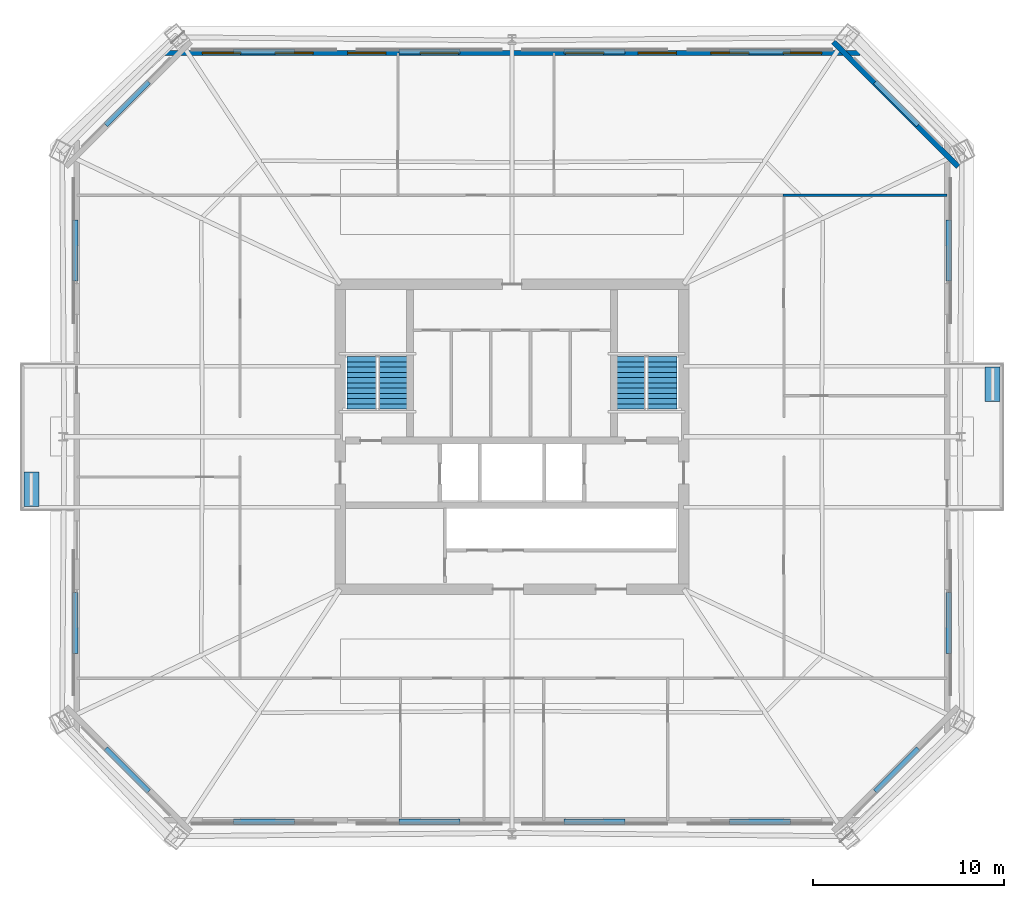
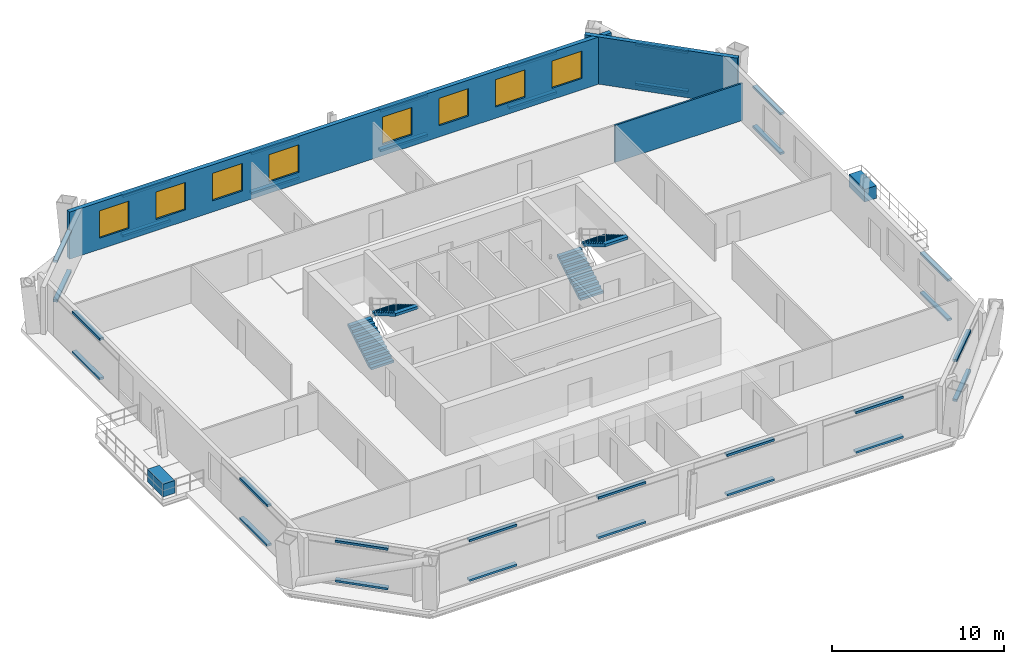
# One storey, part 5 of 8: 34 discrete accessories, 8 windows, 4 stair flights, 3 walls, 8 openings, 2 elements without a shape of their own.
"""IFC4 building model written with IfcOpenShell, lengths in metres."""

from ifc_helpers import new_model, si_unit, direction, frame, frame_2d, origin, origin_2d, place, context, subcontext, project, spatial, polyline, rectangle, outline, extrude, material, layer, layer_set, type_object, element, fill, aggregate, save


model = new_model("IFC4")

# Units and contexts
model_context = context("Model", 3, precision=1e-05, world=origin(), true_north=direction((0.0, 1.0)))
body_context = subcontext(model_context, "Body", "Model", "MODEL_VIEW")
ifc_project = project(units=[si_unit("LENGTHUNIT", "METRE"), si_unit("AREAUNIT", "SQUARE_METRE"), si_unit("VOLUMEUNIT", "CUBIC_METRE"), si_unit("PLANEANGLEUNIT", "RADIAN"), si_unit("MASSUNIT", "GRAM", prefix="KILO")], contexts=[model_context])

# Site, building, storey
site_placement = place(None, origin())
site = spatial("IfcSite", under=ifc_project, at=site_placement, CompositionType="ELEMENT")
building_placement = place(site_placement, origin())
building = spatial("IfcBuilding", under=site, at=building_placement, Name="Caelvoria Tower", CompositionType="ELEMENT")
storey_placement = place(building_placement, frame((0.0, 0.0, 145.60009765625)))
storey = spatial("IfcBuildingStorey", under=building, at=storey_placement, Name="L38", CompositionType="ELEMENT", Elevation=145.60009765625)

# Wall
ifc_material_1 = material(Name="Precast Concrete C40/50 with Bronze Cladding", Category="concrete")
ifc_layer_1 = layer(ifc_material_1, 0.280029296875, Name="Precast Concrete C40/50 with Bronze Cladding")
ifc_layer_set_1 = layer_set([ifc_layer_1], Name="Exterior Precast Concrete C40/50 Bronze-Clad Facade Wall 280 - Precast Concrete C40/50 with Bronze Cladding")
wall_type_1 = type_object("IfcWallType", Name="Exterior Precast Concrete C40/50 Bronze-Clad Facade Wall 280", PredefinedType="STANDARD", material=ifc_layer_set_1)
wall_1_placement = place(storey_placement, frame((69.393798828125, 46.154541015625, 0.0), z_axis=(0.0, 0.0, 1.0), x_axis=(-0.707106781187, 0.707106781187, 0.0)))
element("IfcWall", 1, at=wall_1_placement, inside=storey, type_object=wall_type_1, Name="Exterior Facade Wall L38-E3", PredefinedType="STANDARD", context=body_context, shape_type="SweptSolid", body=[
    extrude(rectangle(XDim=9.248046875, YDim=0.280029296875, at=frame_2d((4.6240234375, 0.0))), origin(), (0.0, 0.0, 1.0), 3.35986328125),
])

# Wall, openings, windows
wall_2_placement = place(storey_placement, frame((64.239990234375, 52.1201171875, 0.0), z_axis=(0.0, 0.0, 1.0), x_axis=(-1.0, 0.0, 0.0)))
wall_2 = element("IfcWall", 2, at=wall_2_placement, inside=storey, type_object=wall_type_1, Name="Exterior Facade Wall L38-E4", PredefinedType="STANDARD", context=body_context, shape_type="SweptSolid", body=[
    extrude(rectangle(XDim=36.47998046875, YDim=0.280029296875, at=frame_2d((18.239990234375, 0.0))), origin(), (0.0, 0.0, 1.0), 3.35986328125),
])
opening_1_placement = place(wall_2_placement, frame((2.00439453125, 0.0, 0.800048828125)))
opening_1 = element("IfcOpeningElement", 3, at=opening_1_placement, cuts=wall_2, Name="Opening WN-01", PredefinedType="OPENING", context=body_context, shape_type="SweptSolid", body=[
    extrude(rectangle(XDim=2.0, YDim=1.949951171875, at=frame_2d((1.0, 0.97509765625))), frame((0.0, 0.14990234375, 0.0), z_axis=(0.0, -1.0, 0.0), x_axis=(1.0, 0.0, 0.0)), (0.0, 0.0, 1.0), 0.300048828125),
])
opening_2_placement = place(wall_2_placement, frame((5.813232421875, 0.0, 0.800048828125)))
opening_2 = element("IfcOpeningElement", 4, at=opening_2_placement, cuts=wall_2, Name="Opening WN-01", PredefinedType="OPENING", context=body_context, shape_type="SweptSolid", body=[
    extrude(rectangle(XDim=2.0, YDim=1.949951171875, at=frame_2d((1.0, 0.97509765625))), frame((0.0, 0.14990234375, 0.0), z_axis=(0.0, -1.0, 0.0), x_axis=(1.0, 0.0, 0.0)), (0.0, 0.0, 1.0), 0.300048828125),
])
opening_3_placement = place(wall_2_placement, frame((9.622314453125, 0.0, 0.800048828125)))
opening_3 = element("IfcOpeningElement", 5, at=opening_3_placement, cuts=wall_2, Name="Opening WN-01", PredefinedType="OPENING", context=body_context, shape_type="SweptSolid", body=[
    extrude(rectangle(XDim=2.0, YDim=1.949951171875, at=frame_2d((1.0, 0.97509765625))), frame((0.0, 0.14990234375, 0.0), z_axis=(0.0, -1.0, 0.0), x_axis=(1.0, 0.0, 0.0)), (0.0, 0.0, 1.0), 0.300048828125),
])
opening_4_placement = place(wall_2_placement, frame((13.43115234375, 0.0, 0.800048828125)))
opening_4 = element("IfcOpeningElement", 6, at=opening_4_placement, cuts=wall_2, Name="Opening WN-01", PredefinedType="OPENING", context=body_context, shape_type="SweptSolid", body=[
    extrude(rectangle(XDim=2.0, YDim=1.949951171875, at=frame_2d((1.0, 0.97509765625))), frame((0.0, 0.14990234375, 0.0), z_axis=(0.0, -1.0, 0.0), x_axis=(1.0, 0.0, 0.0)), (0.0, 0.0, 1.0), 0.300048828125),
])
opening_5_placement = place(wall_2_placement, frame((21.048828125, 0.0, 0.800048828125)))
opening_5 = element("IfcOpeningElement", 7, at=opening_5_placement, cuts=wall_2, Name="Opening WN-01", PredefinedType="OPENING", context=body_context, shape_type="SweptSolid", body=[
    extrude(rectangle(XDim=2.0, YDim=1.949951171875, at=frame_2d((1.0, 0.97509765625))), frame((0.0, 0.14990234375, 0.0), z_axis=(0.0, -1.0, 0.0), x_axis=(1.0, 0.0, 0.0)), (0.0, 0.0, 1.0), 0.300048828125),
])
opening_6_placement = place(wall_2_placement, frame((24.85791015625, 0.0, 0.800048828125)))
opening_6 = element("IfcOpeningElement", 8, at=opening_6_placement, cuts=wall_2, Name="Opening WN-01", PredefinedType="OPENING", context=body_context, shape_type="SweptSolid", body=[
    extrude(rectangle(XDim=2.0, YDim=1.949951171875, at=frame_2d((1.0, 0.97509765625))), frame((0.0, 0.14990234375, 0.0), z_axis=(0.0, -1.0, 0.0), x_axis=(1.0, 0.0, 0.0)), (0.0, 0.0, 1.0), 0.300048828125),
])
opening_7_placement = place(wall_2_placement, frame((28.666748046875, 0.0, 0.800048828125)))
opening_7 = element("IfcOpeningElement", 9, at=opening_7_placement, cuts=wall_2, Name="Opening WN-01", PredefinedType="OPENING", context=body_context, shape_type="SweptSolid", body=[
    extrude(rectangle(XDim=2.0, YDim=1.949951171875, at=frame_2d((1.0, 0.97509765625))), frame((0.0, 0.14990234375, 0.0), z_axis=(0.0, -1.0, 0.0), x_axis=(1.0, 0.0, 0.0)), (0.0, 0.0, 1.0), 0.300048828125),
])
opening_8_placement = place(wall_2_placement, frame((32.4755859375, 0.0, 0.800048828125)))
opening_8 = element("IfcOpeningElement", 10, at=opening_8_placement, cuts=wall_2, Name="Opening WN-01", PredefinedType="OPENING", context=body_context, shape_type="SweptSolid", body=[
    extrude(rectangle(XDim=2.0, YDim=1.949951171875, at=frame_2d((1.0, 0.97509765625))), frame((0.0, 0.14990234375, 0.0), z_axis=(0.0, -1.0, 0.0), x_axis=(1.0, 0.0, 0.0)), (0.0, 0.0, 1.0), 0.300048828125),
])
ifc_material_2 = material(Name="Low-E Tinted Glass in Bronze Aluminium Frame", Category="aluminium")
window_type = type_object("IfcWindowType", Name="Tower Office Vision Window 2000x1950", PartitioningType="SINGLE_PANEL", PredefinedType="WINDOW", material=ifc_material_2)
window_1_placement = place(opening_1_placement, origin())
window_1 = element("IfcWindow", 11, at=window_1_placement, inside=storey, type_object=window_type, Name="Facade Window L38-E4-00", OverallHeight=1.949951171875, OverallWidth=2.0, PartitioningType="SINGLE_PANEL", PredefinedType="WINDOW", context=body_context, shape_type="SweptSolid", body=[
    extrude(rectangle(XDim=2.0, YDim=1.949951171875, at=frame_2d((1.0, 0.97509765625))), frame((0.0, 0.030029296875, 0.0), z_axis=(0.0, -1.0, 0.0), x_axis=(1.0, 0.0, 0.0)), (0.0, 0.0, 1.0), 0.06005859375),
])
fill(opening_1, window_1)
window_2_placement = place(opening_2_placement, origin())
window_2 = element("IfcWindow", 12, at=window_2_placement, inside=storey, type_object=window_type, Name="Facade Window L38-E4-01", OverallHeight=1.949951171875, OverallWidth=2.0, PartitioningType="SINGLE_PANEL", PredefinedType="WINDOW", context=body_context, shape_type="SweptSolid", body=[
    extrude(rectangle(XDim=2.0, YDim=1.949951171875, at=frame_2d((1.0, 0.97509765625))), frame((0.0, 0.030029296875, 0.0), z_axis=(0.0, -1.0, 0.0), x_axis=(1.0, 0.0, 0.0)), (0.0, 0.0, 1.0), 0.06005859375),
])
fill(opening_2, window_2)
window_3_placement = place(opening_3_placement, origin())
window_3 = element("IfcWindow", 13, at=window_3_placement, inside=storey, type_object=window_type, Name="Facade Window L38-E4-02", OverallHeight=1.949951171875, OverallWidth=2.0, PartitioningType="SINGLE_PANEL", PredefinedType="WINDOW", context=body_context, shape_type="SweptSolid", body=[
    extrude(rectangle(XDim=2.0, YDim=1.949951171875, at=frame_2d((1.0, 0.97509765625))), frame((0.0, 0.030029296875, 0.0), z_axis=(0.0, -1.0, 0.0), x_axis=(1.0, 0.0, 0.0)), (0.0, 0.0, 1.0), 0.06005859375),
])
fill(opening_3, window_3)
window_4_placement = place(opening_4_placement, origin())
window_4 = element("IfcWindow", 14, at=window_4_placement, inside=storey, type_object=window_type, Name="Facade Window L38-E4-03", OverallHeight=1.949951171875, OverallWidth=2.0, PartitioningType="SINGLE_PANEL", PredefinedType="WINDOW", context=body_context, shape_type="SweptSolid", body=[
    extrude(rectangle(XDim=2.0, YDim=1.949951171875, at=frame_2d((1.0, 0.97509765625))), frame((0.0, 0.030029296875, 0.0), z_axis=(0.0, -1.0, 0.0), x_axis=(1.0, 0.0, 0.0)), (0.0, 0.0, 1.0), 0.06005859375),
])
fill(opening_4, window_4)
window_5_placement = place(opening_5_placement, origin())
window_5 = element("IfcWindow", 15, at=window_5_placement, inside=storey, type_object=window_type, Name="Facade Window L38-E4-05", OverallHeight=1.949951171875, OverallWidth=2.0, PartitioningType="SINGLE_PANEL", PredefinedType="WINDOW", context=body_context, shape_type="SweptSolid", body=[
    extrude(rectangle(XDim=2.0, YDim=1.949951171875, at=frame_2d((1.0, 0.97509765625))), frame((0.0, 0.030029296875, 0.0), z_axis=(0.0, -1.0, 0.0), x_axis=(1.0, 0.0, 0.0)), (0.0, 0.0, 1.0), 0.06005859375),
])
fill(opening_5, window_5)
window_6_placement = place(opening_6_placement, origin())
window_6 = element("IfcWindow", 16, at=window_6_placement, inside=storey, type_object=window_type, Name="Facade Window L38-E4-06", OverallHeight=1.949951171875, OverallWidth=2.0, PartitioningType="SINGLE_PANEL", PredefinedType="WINDOW", context=body_context, shape_type="SweptSolid", body=[
    extrude(rectangle(XDim=2.0, YDim=1.949951171875, at=frame_2d((1.0, 0.97509765625))), frame((0.0, 0.030029296875, 0.0), z_axis=(0.0, -1.0, 0.0), x_axis=(1.0, 0.0, 0.0)), (0.0, 0.0, 1.0), 0.06005859375),
])
fill(opening_6, window_6)
window_7_placement = place(opening_7_placement, origin())
window_7 = element("IfcWindow", 17, at=window_7_placement, inside=storey, type_object=window_type, Name="Facade Window L38-E4-07", OverallHeight=1.949951171875, OverallWidth=2.0, PartitioningType="SINGLE_PANEL", PredefinedType="WINDOW", context=body_context, shape_type="SweptSolid", body=[
    extrude(rectangle(XDim=2.0, YDim=1.949951171875, at=frame_2d((1.0, 0.97509765625))), frame((0.0, 0.030029296875, 0.0), z_axis=(0.0, -1.0, 0.0), x_axis=(1.0, 0.0, 0.0)), (0.0, 0.0, 1.0), 0.06005859375),
])
fill(opening_7, window_7)
window_8_placement = place(opening_8_placement, origin())
window_8 = element("IfcWindow", 18, at=window_8_placement, inside=storey, type_object=window_type, Name="Facade Window L38-E4-08", OverallHeight=1.949951171875, OverallWidth=2.0, PartitioningType="SINGLE_PANEL", PredefinedType="WINDOW", context=body_context, shape_type="SweptSolid", body=[
    extrude(rectangle(XDim=2.0, YDim=1.949951171875, at=frame_2d((1.0, 0.97509765625))), frame((0.0, 0.030029296875, 0.0), z_axis=(0.0, -1.0, 0.0), x_axis=(1.0, 0.0, 0.0)), (0.0, 0.0, 1.0), 0.06005859375),
])
fill(opening_8, window_8)

# Wall
ifc_material_3 = material(Name="Acoustic Gypsum Board on Light-Gauge Stud", Category="gypsum")
ifc_layer_2 = layer(ifc_material_3, 0.1201171875, Name="Acoustic Gypsum Board on Light-Gauge Stud")
ifc_layer_set_2 = layer_set([ifc_layer_2], Name="Tenant Suite Acoustic Partition Wall 120 - Acoustic Gypsum Board on Light-Gauge Stud")
wall_type_2 = type_object("IfcWallType", Name="Tenant Suite Acoustic Partition Wall 120", PredefinedType="PARTITIONING", material=ifc_layer_set_2)
wall_3_placement = place(storey_placement, frame((60.199951171875, 44.659912109375, 0.0), z_axis=(0.0, 0.0, 1.0), x_axis=(1.0, 0.0, 0.0)))
element("IfcWall", 19, at=wall_3_placement, inside=storey, type_object=wall_type_2, Name="Interior Partition IW-L38-BNE-0", PredefinedType="PARTITIONING", context=body_context, shape_type="SweptSolid", body=[
    extrude(rectangle(XDim=8.6201171875, YDim=0.1201171875, at=frame_2d((4.31005859375, 0.0))), origin(), (0.0, 0.0, 1.0), 2.639892578125),
])

# Stair, stair flights
ifc_material_4 = material(Name="Concrete C40/50", Category="concrete")
stair_type = type_object("IfcStairType", Name="Core Smokeproof Dogleg Stair Concrete C40/50", PredefinedType="HALF_TURN_STAIR", material=ifc_material_4)
stair_1_placement = place(storey_placement, origin())
stair_1 = element("IfcStair", 20, at=stair_1_placement, inside=storey, type_object=stair_type, Name="ST-01 Smokeproof Exit Stair L38", PredefinedType="HALF_TURN_STAIR")
ifc_material_5 = material(Name="Precast Concrete C40/50", Category="concrete")
stair_flight_type = type_object("IfcStairFlightType", Name="Precast Concrete C40/50 Stair Flight 1480", PredefinedType="STRAIGHT", material=ifc_material_5)
stair_flight_1_placement = place(storey_placement, frame((38.1298828125, 33.449951171875, 0.0), z_axis=(0.0, 0.0, 1.0), x_axis=(0.0, 1.0, 0.0)))
stair_flight_1 = element("IfcStairFlight", 21, at=stair_flight_1_placement, type_object=stair_flight_type, Name="ST-01 flight 1", NumberOfRisers=11, NumberOfTreads=10, PredefinedType="STRAIGHT", RiserHeight=0.1636, TreadLength=0.275, context=body_context, shape_type="SweptSolid", body=[
    extrude(outline(polyline([(0.0, 0.0), (0.0, 0.16357421875), (0.27490234375, 0.16357421875), (0.27490234375, 0.3271484375), (0.550048828125, 0.3271484375), (0.550048828125, 0.49072265625), (0.824951171875, 0.49072265625), (0.824951171875, 0.654296875), (1.10009765625, 0.654296875), (1.10009765625, 0.818115234375), (1.375, 0.818115234375), (1.375, 0.981689453125), (1.64990234375, 0.981689453125), (1.64990234375, 1.145263671875), (1.925048828125, 1.145263671875), (1.925048828125, 1.308837890625), (2.199951171875, 1.308837890625), (2.199951171875, 1.472412109375), (2.47509765625, 1.472412109375), (2.47509765625, 1.635986328125), (2.75, 1.635986328125), (2.75, 1.799560546875), (2.75, 1.449951171875), (0.312744140625, 0.0), (0.0, 0.0)])), frame((0.0, 0.77001953125, 0.0), z_axis=(0.0, -1.0, 0.0), x_axis=(1.0, 0.0, 0.0)), (0.0, 0.0, 1.0), 1.5400390625),
])
stair_flight_2_placement = place(storey_placement, frame((39.77001953125, 36.199951171875, 1.7998046875), z_axis=(0.0, 0.0, 1.0), x_axis=(0.0, -1.0, 0.0)))
stair_flight_2 = element("IfcStairFlight", 22, at=stair_flight_2_placement, type_object=stair_flight_type, Name="ST-01 flight 2", NumberOfRisers=11, NumberOfTreads=10, PredefinedType="STRAIGHT", RiserHeight=0.1636, TreadLength=0.275, context=body_context, shape_type="SweptSolid", body=[
    extrude(outline(polyline([(0.0, 0.0), (0.0, 0.16357421875), (0.27490234375, 0.16357421875), (0.27490234375, 0.3271484375), (0.550048828125, 0.3271484375), (0.550048828125, 0.49072265625), (0.824951171875, 0.49072265625), (0.824951171875, 0.654296875), (1.10009765625, 0.654296875), (1.10009765625, 0.818115234375), (1.375, 0.818115234375), (1.375, 0.981689453125), (1.64990234375, 0.981689453125), (1.64990234375, 1.145263671875), (1.925048828125, 1.145263671875), (1.925048828125, 1.308837890625), (2.199951171875, 1.308837890625), (2.199951171875, 1.472412109375), (2.47509765625, 1.472412109375), (2.47509765625, 1.635986328125), (2.75, 1.635986328125), (2.75, 1.799560546875), (2.75, 1.449951171875), (0.312744140625, 0.0), (0.0, 0.0)])), frame((0.0, 0.77001953125, 0.0), z_axis=(0.0, -1.0, 0.0), x_axis=(1.0, 0.0, 0.0)), (0.0, 0.0, 1.0), 1.5400390625),
])
aggregate(stair_1, [stair_flight_1, stair_flight_2])

stair_2_placement = place(storey_placement, origin())
stair_2 = element("IfcStair", 23, at=stair_2_placement, inside=storey, type_object=stair_type, Name="ST-02 Smokeproof Exit Stair L38", PredefinedType="HALF_TURN_STAIR")
stair_flight_3_placement = place(storey_placement, frame((52.22998046875, 33.449951171875, 0.0), z_axis=(0.0, 0.0, 1.0), x_axis=(0.0, 1.0, 0.0)))
stair_flight_3 = element("IfcStairFlight", 24, at=stair_flight_3_placement, type_object=stair_flight_type, Name="ST-02 flight 1", NumberOfRisers=11, NumberOfTreads=10, PredefinedType="STRAIGHT", RiserHeight=0.1636, TreadLength=0.275, context=body_context, shape_type="SweptSolid", body=[
    extrude(outline(polyline([(0.0, 0.0), (0.0, 0.16357421875), (0.27490234375, 0.16357421875), (0.27490234375, 0.3271484375), (0.550048828125, 0.3271484375), (0.550048828125, 0.49072265625), (0.824951171875, 0.49072265625), (0.824951171875, 0.654296875), (1.10009765625, 0.654296875), (1.10009765625, 0.818115234375), (1.375, 0.818115234375), (1.375, 0.981689453125), (1.64990234375, 0.981689453125), (1.64990234375, 1.145263671875), (1.925048828125, 1.145263671875), (1.925048828125, 1.308837890625), (2.199951171875, 1.308837890625), (2.199951171875, 1.472412109375), (2.47509765625, 1.472412109375), (2.47509765625, 1.635986328125), (2.75, 1.635986328125), (2.75, 1.799560546875), (2.75, 1.449951171875), (0.312744140625, 0.0), (0.0, 0.0)])), frame((0.0, 0.77001953125, 0.0), z_axis=(0.0, -1.0, 0.0), x_axis=(1.0, 0.0, 0.0)), (0.0, 0.0, 1.0), 1.5400390625),
])
stair_flight_4_placement = place(storey_placement, frame((53.8701171875, 36.199951171875, 1.7998046875), z_axis=(0.0, 0.0, 1.0), x_axis=(0.0, -1.0, 0.0)))
stair_flight_4 = element("IfcStairFlight", 25, at=stair_flight_4_placement, type_object=stair_flight_type, Name="ST-02 flight 2", NumberOfRisers=11, NumberOfTreads=10, PredefinedType="STRAIGHT", RiserHeight=0.1636, TreadLength=0.275, context=body_context, shape_type="SweptSolid", body=[
    extrude(outline(polyline([(0.0, 0.0), (0.0, 0.16357421875), (0.27490234375, 0.16357421875), (0.27490234375, 0.3271484375), (0.550048828125, 0.3271484375), (0.550048828125, 0.49072265625), (0.824951171875, 0.49072265625), (0.824951171875, 0.654296875), (1.10009765625, 0.654296875), (1.10009765625, 0.818115234375), (1.375, 0.818115234375), (1.375, 0.981689453125), (1.64990234375, 0.981689453125), (1.64990234375, 1.145263671875), (1.925048828125, 1.145263671875), (1.925048828125, 1.308837890625), (2.199951171875, 1.308837890625), (2.199951171875, 1.472412109375), (2.47509765625, 1.472412109375), (2.47509765625, 1.635986328125), (2.75, 1.635986328125), (2.75, 1.799560546875), (2.75, 1.449951171875), (0.312744140625, 0.0), (0.0, 0.0)])), frame((0.0, 0.77001953125, 0.0), z_axis=(0.0, -1.0, 0.0), x_axis=(1.0, 0.0, 0.0)), (0.0, 0.0, 1.0), 1.5400390625),
])
aggregate(stair_2, [stair_flight_3, stair_flight_4])

# Discrete accessories
ifc_material_6 = material(Name="Anodised Bronze Stainless Bracket", Category="bronze")
discrete_accessory_type_1 = type_object("IfcDiscreteAccessoryType", Name="Solar Screen Outrigger Support Bracket", PredefinedType="BRACKET", material=ifc_material_6)
for number, where, z_axis, x_axis, name in (
    (26, (32.9951171875, 11.802978515625, 0.23974609375), (0.0, 0.0, 1.0), (1.0, 0.0, 0.0), "Solar Screen Bracket L38-E0-00"),
    (27, (32.9951171875, 11.802978515625, 3.06005859375), (0.0, 0.0, 1.0), (1.0, 0.0, 0.0), "Upper Screen Band Bracket L38-E0-00"),
    (28, (41.6650390625, 11.802978515625, 0.23974609375), (0.0, 0.0, 1.0), (1.0, 0.0, 0.0), "Solar Screen Bracket L38-E0-01"),
    (29, (41.6650390625, 11.802978515625, 3.06005859375), (0.0, 0.0, 1.0), (1.0, 0.0, 0.0), "Upper Screen Band Bracket L38-E0-01"),
    (30, (50.3349609375, 11.802978515625, 0.23974609375), (0.0, 0.0, 1.0), (1.0, 0.0, 0.0), "Solar Screen Bracket L38-E0-02"),
    (31, (50.3349609375, 11.802978515625, 3.06005859375), (0.0, 0.0, 1.0), (1.0, 0.0, 0.0), "Upper Screen Band Bracket L38-E0-02"),
    (32, (59.0048828125, 11.802978515625, 0.23974609375), (0.0, 0.0, 1.0), (1.0, 0.0, 0.0), "Solar Screen Bracket L38-E0-03"),
    (33, (59.0048828125, 11.802978515625, 3.06005859375), (0.0, 0.0, 1.0), (1.0, 0.0, 0.0), "Upper Screen Band Bracket L38-E0-03"),
    (34, (66.1787109375, 14.521484375, 0.23974609375), (0.0, 0.0, 1.0), (0.707106781187, 0.707106781187, 0.0), "Solar Screen Bracket L38-E1-00"),
    (35, (66.1787109375, 14.521484375, 3.06005859375), (0.0, 0.0, 1.0), (0.707106781187, 0.707106781187, 0.0), "Upper Screen Band Bracket L38-E1-00"),
    (36, (68.89697265625, 22.239990234375, 0.23974609375), (0.0, 0.0, 1.0), (0.0, 1.0, 0.0), "Solar Screen Bracket L38-E2-00"),
    (37, (68.89697265625, 22.239990234375, 3.06005859375), (0.0, 0.0, 1.0), (0.0, 1.0, 0.0), "Upper Screen Band Bracket L38-E2-00"),
    (38, (68.89697265625, 41.760009765625, 0.23974609375), (0.0, 0.0, 1.0), (0.0, 1.0, 0.0), "Solar Screen Bracket L38-E2-02"),
    (39, (68.89697265625, 41.760009765625, 3.06005859375), (0.0, 0.0, 1.0), (0.0, 1.0, 0.0), "Upper Screen Band Bracket L38-E2-02"),
    (40, (66.1787109375, 49.478515625, 0.23974609375), (0.0, 0.0, 1.0), (-0.707106781187, 0.707106781187, 0.0), "Solar Screen Bracket L38-E3-00"),
    (41, (66.1787109375, 49.478515625, 3.06005859375), (0.0, 0.0, 1.0), (-0.707106781187, 0.707106781187, 0.0), "Upper Screen Band Bracket L38-E3-00"),
    (42, (59.0048828125, 52.197021484375, 0.23974609375), (0.0, 0.0, 1.0), (-1.0, 0.0, 0.0), "Solar Screen Bracket L38-E4-00"),
    (43, (59.0048828125, 52.197021484375, 3.06005859375), (0.0, 0.0, 1.0), (-1.0, 0.0, 0.0), "Upper Screen Band Bracket L38-E4-00"),
    (44, (50.3349609375, 52.197021484375, 0.23974609375), (0.0, 0.0, 1.0), (-1.0, 0.0, 0.0), "Solar Screen Bracket L38-E4-01"),
    (45, (50.3349609375, 52.197021484375, 3.06005859375), (0.0, 0.0, 1.0), (-1.0, 0.0, 0.0), "Upper Screen Band Bracket L38-E4-01"),
    (46, (41.6650390625, 52.197021484375, 0.23974609375), (0.0, 0.0, 1.0), (-1.0, 0.0, 0.0), "Solar Screen Bracket L38-E4-02"),
    (47, (41.6650390625, 52.197021484375, 3.06005859375), (0.0, 0.0, 1.0), (-1.0, 0.0, 0.0), "Upper Screen Band Bracket L38-E4-02"),
    (48, (32.9951171875, 52.197021484375, 0.23974609375), (0.0, 0.0, 1.0), (-1.0, 0.0, 0.0), "Solar Screen Bracket L38-E4-03"),
    (49, (32.9951171875, 52.197021484375, 3.06005859375), (0.0, 0.0, 1.0), (-1.0, 0.0, 0.0), "Upper Screen Band Bracket L38-E4-03"),
    (50, (25.8212890625, 49.478515625, 0.23974609375), (0.0, 0.0, 1.0), (-0.707106781187, -0.707106781187, 0.0), "Solar Screen Bracket L38-E5-00"),
    (51, (25.8212890625, 49.478515625, 3.06005859375), (0.0, 0.0, 1.0), (-0.707106781187, -0.707106781187, 0.0), "Upper Screen Band Bracket L38-E5-00"),
    (52, (23.10302734375, 41.760009765625, 0.23974609375), (0.0, 0.0, 1.0), (0.0, -1.0, 0.0), "Solar Screen Bracket L38-E6-00"),
    (53, (23.10302734375, 41.760009765625, 3.06005859375), (0.0, 0.0, 1.0), (0.0, -1.0, 0.0), "Upper Screen Band Bracket L38-E6-00"),
    (54, (23.10302734375, 22.239990234375, 0.23974609375), (0.0, 0.0, 1.0), (0.0, -1.0, 0.0), "Solar Screen Bracket L38-E6-02"),
    (55, (23.10302734375, 22.239990234375, 3.06005859375), (0.0, 0.0, 1.0), (0.0, -1.0, 0.0), "Upper Screen Band Bracket L38-E6-02"),
    (56, (25.8212890625, 14.521484375, 0.23974609375), (0.0, 0.0, 1.0), (0.707106781187, -0.707106781187, 0.0), "Solar Screen Bracket L38-E7-00"),
    (57, (25.8212890625, 14.521484375, 3.06005859375), (0.0, 0.0, 1.0), (0.707106781187, -0.707106781187, 0.0), "Upper Screen Band Bracket L38-E7-00"),
):
    element("IfcDiscreteAccessory", number, at=place(storey_placement, frame(where, z_axis=z_axis, x_axis=x_axis)), inside=storey, type_object=discrete_accessory_type_1, Name=name, PredefinedType="BRACKET", context=body_context, shape_type="SweptSolid", body=[
        extrude(rectangle(XDim=3.199951171875, YDim=0.280029296875, at=origin_2d()), origin(), (0.0, 0.0, 1.0), 0.159912109375),
    ])
ifc_material_7 = material(Name="Bronze-Clad Concrete C40/50 Planter Vessel", Category="concrete")
discrete_accessory_type_2 = type_object("IfcDiscreteAccessoryType", Name="Tree Balcony Structural Planter Vessel PLANTER", PredefinedType="USERDEFINED", material=ifc_material_7)
for number, where, z_axis, x_axis, name in (
    (58, (20.800048828125, 29.25, 0.0), (0.0, 0.0, 1.0), (0.0, 1.0, 0.0), "Tree Balcony Planter TB-L38-W"),
    (59, (71.199951171875, 34.75, 0.0), (0.0, 0.0, 1.0), (0.0, 1.0, 0.0), "Tree Balcony Planter TB-L38-E"),
):
    element("IfcDiscreteAccessory", number, at=place(storey_placement, frame(where, z_axis=z_axis, x_axis=x_axis)), inside=storey, type_object=discrete_accessory_type_2, Name=name, ObjectType="PLANTER", PredefinedType="USERDEFINED", context=body_context, shape_type="SweptSolid", body=[
        extrude(rectangle(XDim=1.800048828125, YDim=0.800048828125, at=origin_2d()), origin(), (0.0, 0.0, 1.0), 0.89990234375),
    ])

save(model, "model.ifc")
